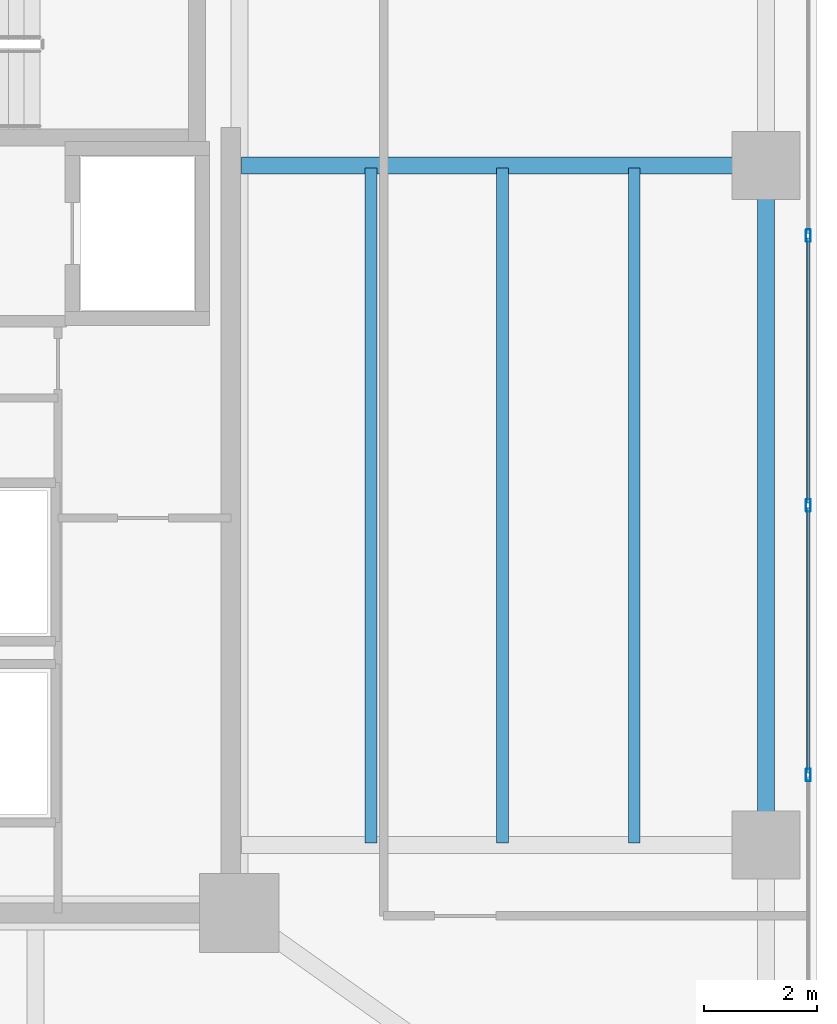
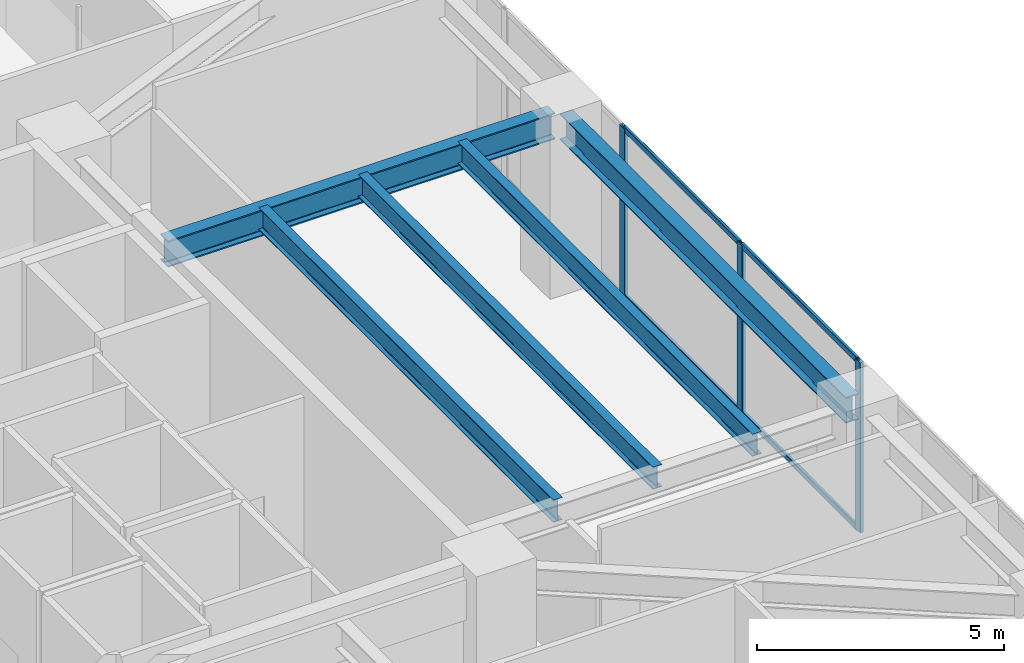
# One storey, part 16 of 39: 7 members, 5 beams, 1 element without a shape of its own.
"""IFC4 building model written with IfcOpenShell, lengths in metres."""

from ifc_helpers import new_model, si_unit, direction, frame, origin, origin_2d, place, context, subcontext, project, spatial, hollow_rectangle, i_section, extrude, material, layer, layer_set, material_profile, profile_set, type_object, element, aggregate, save


model = new_model("IFC4")

# Units and contexts
model_context = context("Model", 3, precision=1e-05, world=origin(), true_north=direction((0.0, 1.0)))
body_context = subcontext(model_context, "Body", "Model", "MODEL_VIEW")
ifc_project = project(units=[si_unit("LENGTHUNIT", "METRE"), si_unit("AREAUNIT", "SQUARE_METRE"), si_unit("VOLUMEUNIT", "CUBIC_METRE"), si_unit("PLANEANGLEUNIT", "RADIAN"), si_unit("MASSUNIT", "GRAM", prefix="KILO")], contexts=[model_context])

# Site, building, storey
site_placement = place(None, origin())
site = spatial("IfcSite", under=ifc_project, at=site_placement, CompositionType="ELEMENT")
building_placement = place(site_placement, origin())
building = spatial("IfcBuilding", under=site, at=building_placement, Name="Tarnavaz Court Tower", CompositionType="ELEMENT")
storey_placement = place(building_placement, frame((0.0, 0.0, 68.699951171875)))
storey = spatial("IfcBuildingStorey", under=building, at=storey_placement, Name="L18", CompositionType="ELEMENT", Elevation=68.699951171875)

# Beams
ifc_material_1 = material(Name="Steel S355", Category="steel")
ifc_material_profile_1 = material_profile(ifc_material_1, i_section(OverallWidth=0.300048828125, OverallDepth=0.64990234375, WebThickness=0.01611328125, FlangeThickness=0.031005859375, FilletRadius=0.027099609375, at=origin_2d()), Name="HEB 650")
ifc_profile_set_1 = profile_set([ifc_material_profile_1], Name="Steel S355")
beam_type_1 = type_object("IfcBeamType", Name="BM-G-HEB650", PredefinedType="USERDEFINED", material=ifc_profile_set_1)
beam_1_placement = place(storey_placement, frame((18.639892578125, 6.0, 3.875), z_axis=(1.0, 0.0, 0.0), x_axis=(0.0, 1.0, 0.0)))
element("IfcBeam", 1, at=beam_1_placement, inside=storey, type_object=beam_type_1, Name="L18 Beam RG-10", ObjectType="GIRDER", PredefinedType="USERDEFINED", context=body_context, shape_type="SweptSolid", body=[
    extrude(i_section(OverallWidth=0.300048828125, OverallDepth=0.64990234375, WebThickness=0.01611328125, FlangeThickness=0.031005859375, FilletRadius=0.027099609375, at=origin_2d()), origin(), (0.0, 0.0, 1.0), 9.0400390625),
])
ifc_material_profile_2 = material_profile(ifc_material_1, i_section(OverallWidth=0.2099609375, OverallDepth=0.550048828125, WebThickness=0.010986328125, FlangeThickness=0.01708984375, FilletRadius=0.02392578125, at=origin_2d()), Name="IPE 550")
ifc_profile_set_2 = profile_set([ifc_material_profile_2], Name="Steel S355")
beam_type_2 = type_object("IfcBeamType", Name="BM-J-IPE550", PredefinedType="JOIST", material=ifc_profile_set_2)
for number, where, z_axis, x_axis, name in (
    (2, (20.925048828125, -5.9599609375, 3.925048828125), (0.0, 1.0, 0.0), (-1.0, 0.0, 0.0), "L18 Beam JE1"),
    (3, (23.25, -5.9599609375, 3.925048828125), (0.0, 1.0, 0.0), (-1.0, 0.0, 0.0), "L18 Beam JE2"),
    (4, (25.574951171875, -5.9599609375, 3.925048828125), (0.0, 1.0, 0.0), (-1.0, 0.0, 0.0), "L18 Beam JE3"),
):
    element("IfcBeam", number, at=place(storey_placement, frame(where, z_axis=z_axis, x_axis=x_axis)), inside=storey, type_object=beam_type_2, Name=name, PredefinedType="JOIST", context=body_context, shape_type="SweptSolid", body=[
        extrude(i_section(OverallWidth=0.2099609375, OverallDepth=0.550048828125, WebThickness=0.010986328125, FlangeThickness=0.01708984375, FilletRadius=0.02392578125, at=origin_2d()), origin(), (0.0, 0.0, 1.0), 11.919921875),
    ])
ifc_material_profile_3 = material_profile(ifc_material_1, i_section(OverallWidth=0.300048828125, OverallDepth=0.639892578125, WebThickness=0.013427734375, FlangeThickness=0.02587890625, FilletRadius=0.027099609375, at=origin_2d()), Name="HEA 650")
ifc_profile_set_3 = profile_set([ifc_material_profile_3], Name="Steel S355")
beam_type_3 = type_object("IfcBeamType", Name="BM-SP-HEA650", PredefinedType="SPANDREL", material=ifc_profile_set_3)
beam_2_placement = place(storey_placement, frame((27.89990234375, -5.780029296875, 3.880126953125), z_axis=(0.0, 1.0, 0.0), x_axis=(-1.0, 0.0, 0.0)))
element("IfcBeam", 5, at=beam_2_placement, inside=storey, type_object=beam_type_3, Name="L18 Beam PR-PE-2-PE-3", PredefinedType="SPANDREL", context=body_context, shape_type="SweptSolid", body=[
    extrude(i_section(OverallWidth=0.300048828125, OverallDepth=0.639892578125, WebThickness=0.013427734375, FlangeThickness=0.02587890625, FilletRadius=0.027099609375, at=origin_2d()), origin(), (0.0, 0.0, 1.0), 11.56005859375),
])

# Curtain wall, members
ifc_material_2 = material(Name="Anodised Aluminium 6063-T6 and Solar Low-E Glazing", Category="aluminium")
ifc_layer = layer(ifc_material_2, 0.199951171875)
ifc_layer_set = layer_set([ifc_layer], Name="Anodised Aluminium 6063-T6 and Solar Low-E Glazing")
curtain_wall_type = type_object("IfcCurtainWallType", Name="CW-SYS-05", PredefinedType="NOTDEFINED", material=ifc_layer_set)
curtain_wall_placement = place(storey_placement, origin())
curtain_wall = element("IfcCurtainWall", 6, at=curtain_wall_placement, inside=storey, type_object=curtain_wall_type, Name="L18 Sky-Portal Curtain Wall 12", PredefinedType="NOTDEFINED")
ifc_material_3 = material(Name="Anodised Aluminium 6063-T6", Category="aluminium")
ifc_material_profile_4 = material_profile(ifc_material_3, hollow_rectangle(XDim=0.0849609375, YDim=0.219970703125, WallThickness=0.006103515625, InnerFilletRadius=0.006103515625, OuterFilletRadius=0.011962890625, at=origin_2d()), Name="ALU RHS 220X85X6")
ifc_profile_set_4 = profile_set([ifc_material_profile_4], Name="Anodised Aluminium 6063-T6")
member_type_1 = type_object("IfcMemberType", Name="CW-MUL-220", PredefinedType="MULLION", material=ifc_profile_set_4)
member_1_placement = place(storey_placement, frame((28.64990234375, 4.762451171875, 0.0), z_axis=(0.0, 0.0, 1.0), x_axis=(1.0, 0.0, 0.0)))
member_1 = element("IfcMember", 7, at=member_1_placement, type_object=member_type_1, Name="CW mullion 4", PredefinedType="MULLION", context=body_context, shape_type="SweptSolid", body=[
    extrude(hollow_rectangle(XDim=0.0849609375, YDim=0.219970703125, WallThickness=0.006103515625, InnerFilletRadius=0.006103515625, OuterFilletRadius=0.011962890625, at=origin_2d()), origin(), (0.0, 0.0, 1.0), 4.199951171875),
])
member_2_placement = place(storey_placement, frame((28.64990234375, 0.0, 0.0), z_axis=(0.0, 0.0, 1.0), x_axis=(1.0, 0.0, 0.0)))
member_2 = element("IfcMember", 8, at=member_2_placement, type_object=member_type_1, Name="CW mullion 5", PredefinedType="MULLION", context=body_context, shape_type="SweptSolid", body=[
    extrude(hollow_rectangle(XDim=0.0849609375, YDim=0.219970703125, WallThickness=0.006103515625, InnerFilletRadius=0.006103515625, OuterFilletRadius=0.011962890625, at=origin_2d()), origin(), (0.0, 0.0, 1.0), 4.199951171875),
])
member_3_placement = place(storey_placement, frame((28.64990234375, -4.762451171875, 0.0), z_axis=(0.0, 0.0, 1.0), x_axis=(1.0, 0.0, 0.0)))
member_3 = element("IfcMember", 9, at=member_3_placement, type_object=member_type_1, Name="CW mullion 6", PredefinedType="MULLION", context=body_context, shape_type="SweptSolid", body=[
    extrude(hollow_rectangle(XDim=0.0849609375, YDim=0.219970703125, WallThickness=0.006103515625, InnerFilletRadius=0.006103515625, OuterFilletRadius=0.011962890625, at=origin_2d()), origin(), (0.0, 0.0, 1.0), 4.199951171875),
])
ifc_material_profile_5 = material_profile(ifc_material_3, hollow_rectangle(XDim=0.06494140625, YDim=0.139892578125, WallThickness=0.00390625, InnerFilletRadius=0.00390625, OuterFilletRadius=0.008056640625, at=origin_2d()), Name="ALU RHS 140X65X4")
ifc_profile_set_5 = profile_set([ifc_material_profile_5], Name="Anodised Aluminium 6063-T6")
member_type_2 = type_object("IfcMemberType", Name="CW-TRN-140", PredefinedType="USERDEFINED", material=ifc_profile_set_5)
member_4_placement = place(storey_placement, frame((28.64990234375, 4.719970703125, 0.032470703125), z_axis=(0.0, -1.0, 0.0), x_axis=(1.0, 0.0, 0.0)))
member_4 = element("IfcMember", 10, at=member_4_placement, type_object=member_type_2, Name="CW transom 4.1", ObjectType="TRANSOM", PredefinedType="USERDEFINED", context=body_context, shape_type="SweptSolid", body=[
    extrude(hollow_rectangle(XDim=0.06494140625, YDim=0.139892578125, WallThickness=0.00390625, InnerFilletRadius=0.00390625, OuterFilletRadius=0.008056640625, at=origin_2d()), origin(), (0.0, 0.0, 1.0), 4.677490234375),
])
member_5_placement = place(storey_placement, frame((28.64990234375, 4.719970703125, 4.16748046875), z_axis=(0.0, -1.0, 0.0), x_axis=(1.0, 0.0, 0.0)))
member_5 = element("IfcMember", 11, at=member_5_placement, type_object=member_type_2, Name="CW transom 4.2", ObjectType="TRANSOM", PredefinedType="USERDEFINED", context=body_context, shape_type="SweptSolid", body=[
    extrude(hollow_rectangle(XDim=0.06494140625, YDim=0.139892578125, WallThickness=0.00390625, InnerFilletRadius=0.00390625, OuterFilletRadius=0.008056640625, at=origin_2d()), origin(), (0.0, 0.0, 1.0), 4.677490234375),
])
member_6_placement = place(storey_placement, frame((28.64990234375, -0.04248046875, 0.032470703125), z_axis=(0.0, -1.0, 0.0), x_axis=(1.0, 0.0, 0.0)))
member_6 = element("IfcMember", 12, at=member_6_placement, type_object=member_type_2, Name="CW transom 5.1", ObjectType="TRANSOM", PredefinedType="USERDEFINED", context=body_context, shape_type="SweptSolid", body=[
    extrude(hollow_rectangle(XDim=0.06494140625, YDim=0.139892578125, WallThickness=0.00390625, InnerFilletRadius=0.00390625, OuterFilletRadius=0.008056640625, at=origin_2d()), origin(), (0.0, 0.0, 1.0), 4.677490234375),
])
member_7_placement = place(storey_placement, frame((28.64990234375, -0.04248046875, 4.16748046875), z_axis=(0.0, -1.0, 0.0), x_axis=(1.0, 0.0, 0.0)))
member_7 = element("IfcMember", 13, at=member_7_placement, type_object=member_type_2, Name="CW transom 5.2", ObjectType="TRANSOM", PredefinedType="USERDEFINED", context=body_context, shape_type="SweptSolid", body=[
    extrude(hollow_rectangle(XDim=0.06494140625, YDim=0.139892578125, WallThickness=0.00390625, InnerFilletRadius=0.00390625, OuterFilletRadius=0.008056640625, at=origin_2d()), origin(), (0.0, 0.0, 1.0), 4.677490234375),
])
aggregate(curtain_wall, [member_1, member_2, member_3, member_4, member_5, member_6, member_7])

save(model, "model.ifc")
